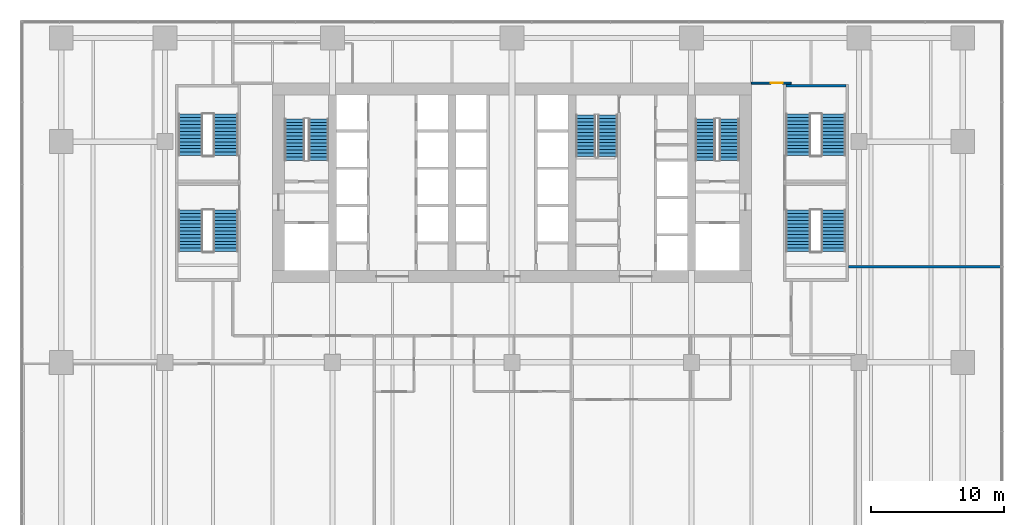
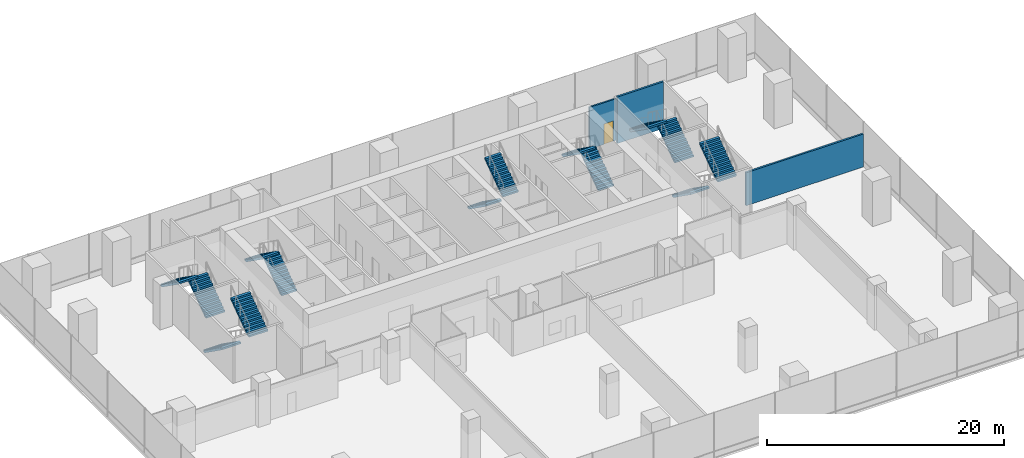
# One storey, part 22 of 28: 14 stair flights, 3 walls, 1 door, 1 opening, 7 elements without a shape of their own.
"""IFC4 building model written with IfcOpenShell, lengths in metres."""

from ifc_helpers import new_model, si_unit, direction, frame, frame_2d, origin, place, context, subcontext, project, spatial, polyline, rectangle, outline, extrude, material, layer, layer_set, type_object, element, fill, aggregate, save


model = new_model("IFC4")

# Units and contexts
model_context = context("Model", 3, precision=1e-05, world=origin(), true_north=direction((0.0, 1.0)))
body_context = subcontext(model_context, "Body", "Model", "MODEL_VIEW")
ifc_project = project(units=[si_unit("LENGTHUNIT", "METRE"), si_unit("AREAUNIT", "SQUARE_METRE"), si_unit("VOLUMEUNIT", "CUBIC_METRE"), si_unit("PLANEANGLEUNIT", "RADIAN"), si_unit("MASSUNIT", "GRAM", prefix="KILO")], contexts=[model_context])

# Site, building, storey
site_placement = place(None, origin())
site = spatial("IfcSite", under=ifc_project, at=site_placement, CompositionType="ELEMENT")
building_placement = place(site_placement, origin())
building = spatial("IfcBuilding", under=site, at=building_placement, Name="Rattan Terrace Tower", CompositionType="ELEMENT")
storey_placement = place(building_placement, frame((0.0, 0.0, 17.39990234375)))
storey = spatial("IfcBuildingStorey", under=building, at=storey_placement, Name="L03", CompositionType="ELEMENT", Elevation=17.39990234375)

# Wall
ifc_material_1 = material(Name="Double steel stud acoustic partition, gypsum board, mineral wool, fire rated", Category="steel")
ifc_layer_1 = layer(ifc_material_1, 0.179931640625)
ifc_layer_set_1 = layer_set([ifc_layer_1], Name="Floors Acoustic Party Wall 180")
wall_type_1 = type_object("IfcWallType", Name="Floors Acoustic Party Wall 180", PredefinedType="PARTITIONING", material=ifc_layer_set_1)
wall_1_placement = place(storey_placement, frame((25.300048828125, -6.31201171875, 0.0), z_axis=(0.0, 0.0, 1.0), x_axis=(1.0, 0.0, 0.0)))
element("IfcWall", 1, at=wall_1_placement, inside=storey, type_object=wall_type_1, Name="pt-L03-042", PredefinedType="PARTITIONING", context=body_context, shape_type="SweptSolid", body=[
    extrude(rectangle(XDim=11.43994140625, YDim=0.179931640625, at=frame_2d((5.719970703125, 0.0))), origin(), (0.0, 0.0, 1.0), 3.400146484375),
])

# Wall, opening, door
ifc_material_2 = material(Name="Gypsum board partition on steel studs, fire rated", Category="steel")
ifc_layer_2 = layer(ifc_material_2, 0.14990234375)
ifc_layer_set_2 = layer_set([ifc_layer_2], Name="Floors Tenancy Wall 150")
wall_type_2 = type_object("IfcWallType", Name="Floors Tenancy Wall 150", PredefinedType="PARTITIONING", material=ifc_layer_set_2)
wall_2_placement = place(storey_placement, frame((18.0, 7.5, 0.0), z_axis=(0.0, 0.0, 1.0), x_axis=(1.0, 0.0, 0.0)))
wall_2 = element("IfcWall", 2, at=wall_2_placement, inside=storey, type_object=wall_type_2, Name="pt-L03-012", PredefinedType="PARTITIONING", context=body_context, shape_type="SweptSolid", body=[
    extrude(rectangle(XDim=3.0, YDim=0.14990234375, at=frame_2d((1.5, 0.0))), origin(), (0.0, 0.0, 1.0), 4.300048828125),
])
opening_placement = place(wall_2_placement, frame((1.449951171875, 0.0, 0.0)))
opening = element("IfcOpeningElement", 3, at=opening_placement, cuts=wall_2, Name="Opening L03-D110", PredefinedType="OPENING", context=body_context, shape_type="SweptSolid", body=[
    extrude(rectangle(XDim=0.89990234375, YDim=2.10009765625, at=frame_2d((0.449951171875, 1.050048828125))), frame((0.0, 0.08544921875, 0.0), z_axis=(0.0, -1.0, 0.0), x_axis=(1.0, 0.0, 0.0)), (0.0, 0.0, 1.0), 0.1708984375),
])
ifc_material_3 = material(Name="Steel fire door set", Category="steel")
door_type = type_object("IfcDoorType", Name="Floors Fire Door FD30S 900x2100", OperationType="NOTDEFINED", PredefinedType="DOOR", material=ifc_material_3)
door_placement = place(opening_placement, origin())
door = element("IfcDoor", 4, at=door_placement, inside=storey, type_object=door_type, Name="d-L03-110", OperationType="SINGLE_SWING_RIGHT", OverallHeight=2.10009765625, OverallWidth=0.89990234375, PredefinedType="DOOR", context=body_context, shape_type="SweptSolid", body=[
    extrude(rectangle(XDim=0.89990234375, YDim=2.10009765625, at=frame_2d((0.449951171875, 1.050048828125))), frame((0.0, 0.02490234375, 0.0), z_axis=(0.0, -1.0, 0.0), x_axis=(1.0, 0.0, 0.0)), (0.0, 0.0, 1.0), 0.050048828125),
])
fill(opening, door)

# Wall
ifc_material_4 = material(Name="Concrete C40/50", Category="concrete")
ifc_layer_3 = layer(ifc_material_4, 0.199951171875)
ifc_layer_set_3 = layer_set([ifc_layer_3], Name="Podium exit stair shaft wall 200")
wall_type_3 = type_object("IfcWallType", Name="Podium exit stair shaft wall 200", PredefinedType="SHEAR", material=ifc_layer_set_3)
wall_3_placement = place(storey_placement, frame((20.60009765625, 7.300048828125, -0.199951171875), z_axis=(0.0, 0.0, 1.0), x_axis=(1.0, 0.0, 0.0)))
element("IfcWall", 5, at=wall_3_placement, inside=storey, type_object=wall_type_3, Name="L03 stair S7 shaft wall", PredefinedType="SHEAR", context=body_context, shape_type="SweptSolid", body=[
    extrude(rectangle(XDim=4.5, YDim=0.199951171875, at=frame_2d((2.25, 0.0))), origin(), (0.0, 0.0, 1.0), 4.800048828125),
])

# Stair, stair flights
ifc_material_5 = material(Name="Concrete C40/50", Category="concrete")
stair_type_1 = type_object("IfcStairType", Name="Core exit stair 1500", PredefinedType="HALF_TURN_STAIR", material=ifc_material_5)
stair_1_placement = place(storey_placement, origin())
stair_1 = element("IfcStair", 6, at=stair_1_placement, inside=storey, type_object=stair_type_1, Name="L03 exit stair 1", PredefinedType="HALF_TURN_STAIR")
ifc_material_6 = material(Name="Concrete C40/50", Category="concrete")
stair_flight_type_1 = type_object("IfcStairFlightType", Name="Core exit stair flight 1500", PredefinedType="STRAIGHT", material=ifc_material_6)
stair_flight_1_placement = place(storey_placement, frame((-14.550048828125, 1.699951171875, 0.0), z_axis=(0.0, 0.0, 1.0), x_axis=(0.0, 1.0, 0.0)))
stair_flight_1 = element("IfcStairFlight", 7, at=stair_flight_1_placement, type_object=stair_flight_type_1, Name="S1 flight 1", NumberOfRisers=13, NumberOfTreads=12, PredefinedType="STRAIGHT", RiserHeight=0.184615385, TreadLength=0.26, context=body_context, shape_type="SweptSolid", body=[
    extrude(outline(polyline([(0.0, 0.0), (0.0, 0.1845703125), (0.260009765625, 0.1845703125), (0.260009765625, 0.369140625), (0.52001953125, 0.369140625), (0.52001953125, 0.553955078125), (0.780029296875, 0.553955078125), (0.780029296875, 0.738525390625), (1.0400390625, 0.738525390625), (1.0400390625, 0.923095703125), (1.300048828125, 0.923095703125), (1.300048828125, 1.107666015625), (1.56005859375, 1.107666015625), (1.56005859375, 1.292236328125), (1.820068359375, 1.292236328125), (1.820068359375, 1.476806640625), (2.080078125, 1.476806640625), (2.080078125, 1.66162109375), (2.340087890625, 1.66162109375), (2.340087890625, 1.84619140625), (2.60009765625, 1.84619140625), (2.60009765625, 2.03076171875), (2.860107421875, 2.03076171875), (2.860107421875, 2.21533203125), (3.1201171875, 2.21533203125), (3.1201171875, 2.39990234375), (3.1201171875, 2.031494140625), (0.259033203125, 0.0), (0.0, 0.0)])), frame((0.0, 0.75, 0.0), z_axis=(0.0, -1.0, 0.0), x_axis=(1.0, 0.0, 0.0)), (0.0, 0.0, 1.0), 1.5),
])
stair_flight_2_placement = place(storey_placement, frame((-16.35009765625, 4.820068359375, 2.400146484375), z_axis=(0.0, 0.0, 1.0), x_axis=(0.0, -1.0, 0.0)))
stair_flight_2 = element("IfcStairFlight", 8, at=stair_flight_2_placement, type_object=stair_flight_type_1, Name="S1 flight 2", NumberOfRisers=13, NumberOfTreads=12, PredefinedType="STRAIGHT", RiserHeight=0.184615385, TreadLength=0.26, context=body_context, shape_type="SweptSolid", body=[
    extrude(outline(polyline([(0.0, 0.0), (0.0, 0.1845703125), (0.260009765625, 0.1845703125), (0.260009765625, 0.369140625), (0.52001953125, 0.369140625), (0.52001953125, 0.553955078125), (0.780029296875, 0.553955078125), (0.780029296875, 0.738525390625), (1.0400390625, 0.738525390625), (1.0400390625, 0.923095703125), (1.300048828125, 0.923095703125), (1.300048828125, 1.107666015625), (1.56005859375, 1.107666015625), (1.56005859375, 1.292236328125), (1.820068359375, 1.292236328125), (1.820068359375, 1.476806640625), (2.080078125, 1.476806640625), (2.080078125, 1.66162109375), (2.340087890625, 1.66162109375), (2.340087890625, 1.84619140625), (2.60009765625, 1.84619140625), (2.60009765625, 2.03076171875), (2.860107421875, 2.03076171875), (2.860107421875, 2.21533203125), (3.1201171875, 2.21533203125), (3.1201171875, 2.39990234375), (3.1201171875, 2.031494140625), (0.259033203125, 0.0), (0.0, 0.0)])), frame((0.0, 0.75, 0.0), z_axis=(0.0, -1.0, 0.0), x_axis=(1.0, 0.0, 0.0)), (0.0, 0.0, 1.0), 1.5),
])
aggregate(stair_1, [stair_flight_1, stair_flight_2])

stair_2_placement = place(storey_placement, origin())
stair_2 = element("IfcStair", 9, at=stair_2_placement, inside=storey, type_object=stair_type_1, Name="L03 exit stair 2", PredefinedType="HALF_TURN_STAIR")
stair_flight_3_placement = place(storey_placement, frame((16.35009765625, 1.699951171875, 0.0), z_axis=(0.0, 0.0, 1.0), x_axis=(0.0, 1.0, 0.0)))
stair_flight_3 = element("IfcStairFlight", 10, at=stair_flight_3_placement, type_object=stair_flight_type_1, Name="S2 flight 1", NumberOfRisers=13, NumberOfTreads=12, PredefinedType="STRAIGHT", RiserHeight=0.184615385, TreadLength=0.26, context=body_context, shape_type="SweptSolid", body=[
    extrude(outline(polyline([(0.0, 0.0), (0.0, 0.1845703125), (0.260009765625, 0.1845703125), (0.260009765625, 0.369140625), (0.52001953125, 0.369140625), (0.52001953125, 0.553955078125), (0.780029296875, 0.553955078125), (0.780029296875, 0.738525390625), (1.0400390625, 0.738525390625), (1.0400390625, 0.923095703125), (1.300048828125, 0.923095703125), (1.300048828125, 1.107666015625), (1.56005859375, 1.107666015625), (1.56005859375, 1.292236328125), (1.820068359375, 1.292236328125), (1.820068359375, 1.476806640625), (2.080078125, 1.476806640625), (2.080078125, 1.66162109375), (2.340087890625, 1.66162109375), (2.340087890625, 1.84619140625), (2.60009765625, 1.84619140625), (2.60009765625, 2.03076171875), (2.860107421875, 2.03076171875), (2.860107421875, 2.21533203125), (3.1201171875, 2.21533203125), (3.1201171875, 2.39990234375), (3.1201171875, 2.031494140625), (0.259033203125, 0.0), (0.0, 0.0)])), frame((0.0, 0.75, 0.0), z_axis=(0.0, -1.0, 0.0), x_axis=(1.0, 0.0, 0.0)), (0.0, 0.0, 1.0), 1.5),
])
stair_flight_4_placement = place(storey_placement, frame((14.550048828125, 4.820068359375, 2.400146484375), z_axis=(0.0, 0.0, 1.0), x_axis=(0.0, -1.0, 0.0)))
stair_flight_4 = element("IfcStairFlight", 11, at=stair_flight_4_placement, type_object=stair_flight_type_1, Name="S2 flight 2", NumberOfRisers=13, NumberOfTreads=12, PredefinedType="STRAIGHT", RiserHeight=0.184615385, TreadLength=0.26, context=body_context, shape_type="SweptSolid", body=[
    extrude(outline(polyline([(0.0, 0.0), (0.0, 0.1845703125), (0.260009765625, 0.1845703125), (0.260009765625, 0.369140625), (0.52001953125, 0.369140625), (0.52001953125, 0.553955078125), (0.780029296875, 0.553955078125), (0.780029296875, 0.738525390625), (1.0400390625, 0.738525390625), (1.0400390625, 0.923095703125), (1.300048828125, 0.923095703125), (1.300048828125, 1.107666015625), (1.56005859375, 1.107666015625), (1.56005859375, 1.292236328125), (1.820068359375, 1.292236328125), (1.820068359375, 1.476806640625), (2.080078125, 1.476806640625), (2.080078125, 1.66162109375), (2.340087890625, 1.66162109375), (2.340087890625, 1.84619140625), (2.60009765625, 1.84619140625), (2.60009765625, 2.03076171875), (2.860107421875, 2.03076171875), (2.860107421875, 2.21533203125), (3.1201171875, 2.21533203125), (3.1201171875, 2.39990234375), (3.1201171875, 2.031494140625), (0.259033203125, 0.0), (0.0, 0.0)])), frame((0.0, 0.75, 0.0), z_axis=(0.0, -1.0, 0.0), x_axis=(1.0, 0.0, 0.0)), (0.0, 0.0, 1.0), 1.5),
])
aggregate(stair_2, [stair_flight_3, stair_flight_4])

stair_3_placement = place(storey_placement, origin())
stair_3 = element("IfcStair", 12, at=stair_3_placement, inside=storey, type_object=stair_type_1, Name="L03 exit stair 3", PredefinedType="HALF_TURN_STAIR")
stair_flight_5_placement = place(storey_placement, frame((5.550048828125, 5.10009765625, 0.0), z_axis=(0.0, 0.0, 1.0), x_axis=(0.0, -1.0, 0.0)))
stair_flight_5 = element("IfcStairFlight", 13, at=stair_flight_5_placement, type_object=stair_flight_type_1, Name="S3 flight 1", NumberOfRisers=13, NumberOfTreads=12, PredefinedType="STRAIGHT", RiserHeight=0.184615385, TreadLength=0.26, context=body_context, shape_type="SweptSolid", body=[
    extrude(outline(polyline([(0.0, 0.0), (0.0, 0.1845703125), (0.260009765625, 0.1845703125), (0.260009765625, 0.369140625), (0.52001953125, 0.369140625), (0.52001953125, 0.553955078125), (0.780029296875, 0.553955078125), (0.780029296875, 0.738525390625), (1.0400390625, 0.738525390625), (1.0400390625, 0.923095703125), (1.300048828125, 0.923095703125), (1.300048828125, 1.107666015625), (1.56005859375, 1.107666015625), (1.56005859375, 1.292236328125), (1.820068359375, 1.292236328125), (1.820068359375, 1.476806640625), (2.080078125, 1.476806640625), (2.080078125, 1.66162109375), (2.340087890625, 1.66162109375), (2.340087890625, 1.84619140625), (2.60009765625, 1.84619140625), (2.60009765625, 2.03076171875), (2.860107421875, 2.03076171875), (2.860107421875, 2.21533203125), (3.1201171875, 2.21533203125), (3.1201171875, 2.39990234375), (3.1201171875, 2.031494140625), (0.259033203125, 0.0), (0.0, 0.0)])), frame((0.0, 0.75, 0.0), z_axis=(0.0, -1.0, 0.0), x_axis=(1.0, 0.0, 0.0)), (0.0, 0.0, 1.0), 1.5),
])
stair_flight_6_placement = place(storey_placement, frame((7.199951171875, 1.97998046875, 2.400146484375), z_axis=(0.0, 0.0, 1.0), x_axis=(0.0, 1.0, 0.0)))
stair_flight_6 = element("IfcStairFlight", 14, at=stair_flight_6_placement, type_object=stair_flight_type_1, Name="S3 flight 2", NumberOfRisers=13, NumberOfTreads=12, PredefinedType="STRAIGHT", RiserHeight=0.184615385, TreadLength=0.26, context=body_context, shape_type="SweptSolid", body=[
    extrude(outline(polyline([(0.0, 0.0), (0.0, 0.1845703125), (0.260009765625, 0.1845703125), (0.260009765625, 0.369140625), (0.52001953125, 0.369140625), (0.52001953125, 0.553955078125), (0.780029296875, 0.553955078125), (0.780029296875, 0.738525390625), (1.0400390625, 0.738525390625), (1.0400390625, 0.923095703125), (1.300048828125, 0.923095703125), (1.300048828125, 1.107666015625), (1.56005859375, 1.107666015625), (1.56005859375, 1.292236328125), (1.820068359375, 1.292236328125), (1.820068359375, 1.476806640625), (2.080078125, 1.476806640625), (2.080078125, 1.66162109375), (2.340087890625, 1.66162109375), (2.340087890625, 1.84619140625), (2.60009765625, 1.84619140625), (2.60009765625, 2.03076171875), (2.860107421875, 2.03076171875), (2.860107421875, 2.21533203125), (3.1201171875, 2.21533203125), (3.1201171875, 2.39990234375), (3.1201171875, 2.031494140625), (0.259033203125, 0.0), (0.0, 0.0)])), frame((0.0, 0.75, 0.0), z_axis=(0.0, -1.0, 0.0), x_axis=(1.0, 0.0, 0.0)), (0.0, 0.0, 1.0), 1.5),
])
aggregate(stair_3, [stair_flight_5, stair_flight_6])

ifc_material_7 = material(Name="Concrete C40/50", Category="concrete")
stair_type_2 = type_object("IfcStairType", Name="Core exit stair 1850", PredefinedType="HALF_TURN_STAIR", material=ifc_material_7)
stair_4_placement = place(storey_placement, origin())
stair_4 = element("IfcStair", 15, at=stair_4_placement, inside=storey, type_object=stair_type_2, Name="L03 exit stair 4", PredefinedType="HALF_TURN_STAIR")
ifc_material_8 = material(Name="Concrete C40/50", Category="concrete")
stair_flight_type_2 = type_object("IfcStairFlightType", Name="Core exit stair flight 1850", PredefinedType="STRAIGHT", material=ifc_material_8)
stair_flight_7_placement = place(storey_placement, frame((-24.175048828125, -2.050048828125, 0.0), z_axis=(0.0, 0.0, 1.0), x_axis=(0.0, -1.0, 0.0)))
stair_flight_7 = element("IfcStairFlight", 16, at=stair_flight_7_placement, type_object=stair_flight_type_2, Name="S4 flight 1", NumberOfRisers=13, NumberOfTreads=12, PredefinedType="STRAIGHT", RiserHeight=0.184615385, TreadLength=0.26, context=body_context, shape_type="SweptSolid", body=[
    extrude(outline(polyline([(0.0, 0.0), (0.0, 0.1845703125), (0.260009765625, 0.1845703125), (0.260009765625, 0.369140625), (0.52001953125, 0.369140625), (0.52001953125, 0.553955078125), (0.780029296875, 0.553955078125), (0.780029296875, 0.738525390625), (1.0400390625, 0.738525390625), (1.0400390625, 0.923095703125), (1.300048828125, 0.923095703125), (1.300048828125, 1.107666015625), (1.56005859375, 1.107666015625), (1.56005859375, 1.292236328125), (1.820068359375, 1.292236328125), (1.820068359375, 1.476806640625), (2.080078125, 1.476806640625), (2.080078125, 1.66162109375), (2.340087890625, 1.66162109375), (2.340087890625, 1.84619140625), (2.60009765625, 1.84619140625), (2.60009765625, 2.03076171875), (2.860107421875, 2.03076171875), (2.860107421875, 2.21533203125), (3.1201171875, 2.21533203125), (3.1201171875, 2.39990234375), (3.1201171875, 2.031494140625), (0.259033203125, 0.0), (0.0, 0.0)])), frame((0.0, 0.925048828125, 0.0), z_axis=(0.0, -1.0, 0.0), x_axis=(1.0, 0.0, 0.0)), (0.0, 0.0, 1.0), 1.85009765625),
])
stair_flight_8_placement = place(storey_placement, frame((-21.52490234375, -5.169921875, 2.400146484375), z_axis=(0.0, 0.0, 1.0), x_axis=(0.0, 1.0, 0.0)))
stair_flight_8 = element("IfcStairFlight", 17, at=stair_flight_8_placement, type_object=stair_flight_type_2, Name="S4 flight 2", NumberOfRisers=13, NumberOfTreads=12, PredefinedType="STRAIGHT", RiserHeight=0.184615385, TreadLength=0.26, context=body_context, shape_type="SweptSolid", body=[
    extrude(outline(polyline([(0.0, 0.0), (0.0, 0.1845703125), (0.260009765625, 0.1845703125), (0.260009765625, 0.369140625), (0.52001953125, 0.369140625), (0.52001953125, 0.553955078125), (0.780029296875, 0.553955078125), (0.780029296875, 0.738525390625), (1.0400390625, 0.738525390625), (1.0400390625, 0.923095703125), (1.300048828125, 0.923095703125), (1.300048828125, 1.107666015625), (1.56005859375, 1.107666015625), (1.56005859375, 1.292236328125), (1.820068359375, 1.292236328125), (1.820068359375, 1.476806640625), (2.080078125, 1.476806640625), (2.080078125, 1.66162109375), (2.340087890625, 1.66162109375), (2.340087890625, 1.84619140625), (2.60009765625, 1.84619140625), (2.60009765625, 2.03076171875), (2.860107421875, 2.03076171875), (2.860107421875, 2.21533203125), (3.1201171875, 2.21533203125), (3.1201171875, 2.39990234375), (3.1201171875, 2.031494140625), (0.259033203125, 0.0), (0.0, 0.0)])), frame((0.0, 0.925048828125, 0.0), z_axis=(0.0, -1.0, 0.0), x_axis=(1.0, 0.0, 0.0)), (0.0, 0.0, 1.0), 1.85009765625),
])
aggregate(stair_4, [stair_flight_7, stair_flight_8])

stair_5_placement = place(storey_placement, origin())
stair_5 = element("IfcStair", 18, at=stair_5_placement, inside=storey, type_object=stair_type_2, Name="L03 exit stair 5", PredefinedType="HALF_TURN_STAIR")
stair_flight_9_placement = place(storey_placement, frame((-21.52490234375, 2.050048828125, 0.0), z_axis=(0.0, 0.0, 1.0), x_axis=(0.0, 1.0, 0.0)))
stair_flight_9 = element("IfcStairFlight", 19, at=stair_flight_9_placement, type_object=stair_flight_type_2, Name="S5 flight 1", NumberOfRisers=13, NumberOfTreads=12, PredefinedType="STRAIGHT", RiserHeight=0.184615385, TreadLength=0.26, context=body_context, shape_type="SweptSolid", body=[
    extrude(outline(polyline([(0.0, 0.0), (0.0, 0.1845703125), (0.260009765625, 0.1845703125), (0.260009765625, 0.369140625), (0.52001953125, 0.369140625), (0.52001953125, 0.553955078125), (0.780029296875, 0.553955078125), (0.780029296875, 0.738525390625), (1.0400390625, 0.738525390625), (1.0400390625, 0.923095703125), (1.300048828125, 0.923095703125), (1.300048828125, 1.107666015625), (1.56005859375, 1.107666015625), (1.56005859375, 1.292236328125), (1.820068359375, 1.292236328125), (1.820068359375, 1.476806640625), (2.080078125, 1.476806640625), (2.080078125, 1.66162109375), (2.340087890625, 1.66162109375), (2.340087890625, 1.84619140625), (2.60009765625, 1.84619140625), (2.60009765625, 2.03076171875), (2.860107421875, 2.03076171875), (2.860107421875, 2.21533203125), (3.1201171875, 2.21533203125), (3.1201171875, 2.39990234375), (3.1201171875, 2.031494140625), (0.259033203125, 0.0), (0.0, 0.0)])), frame((0.0, 0.925048828125, 0.0), z_axis=(0.0, -1.0, 0.0), x_axis=(1.0, 0.0, 0.0)), (0.0, 0.0, 1.0), 1.85009765625),
])
stair_flight_10_placement = place(storey_placement, frame((-24.175048828125, 5.169921875, 2.400146484375), z_axis=(0.0, 0.0, 1.0), x_axis=(0.0, -1.0, 0.0)))
stair_flight_10 = element("IfcStairFlight", 20, at=stair_flight_10_placement, type_object=stair_flight_type_2, Name="S5 flight 2", NumberOfRisers=13, NumberOfTreads=12, PredefinedType="STRAIGHT", RiserHeight=0.184615385, TreadLength=0.26, context=body_context, shape_type="SweptSolid", body=[
    extrude(outline(polyline([(0.0, 0.0), (0.0, 0.1845703125), (0.260009765625, 0.1845703125), (0.260009765625, 0.369140625), (0.52001953125, 0.369140625), (0.52001953125, 0.553955078125), (0.780029296875, 0.553955078125), (0.780029296875, 0.738525390625), (1.0400390625, 0.738525390625), (1.0400390625, 0.923095703125), (1.300048828125, 0.923095703125), (1.300048828125, 1.107666015625), (1.56005859375, 1.107666015625), (1.56005859375, 1.292236328125), (1.820068359375, 1.292236328125), (1.820068359375, 1.476806640625), (2.080078125, 1.476806640625), (2.080078125, 1.66162109375), (2.340087890625, 1.66162109375), (2.340087890625, 1.84619140625), (2.60009765625, 1.84619140625), (2.60009765625, 2.03076171875), (2.860107421875, 2.03076171875), (2.860107421875, 2.21533203125), (3.1201171875, 2.21533203125), (3.1201171875, 2.39990234375), (3.1201171875, 2.031494140625), (0.259033203125, 0.0), (0.0, 0.0)])), frame((0.0, 0.925048828125, 0.0), z_axis=(0.0, -1.0, 0.0), x_axis=(1.0, 0.0, 0.0)), (0.0, 0.0, 1.0), 1.85009765625),
])
aggregate(stair_5, [stair_flight_9, stair_flight_10])

stair_6_placement = place(storey_placement, origin())
stair_6 = element("IfcStair", 21, at=stair_6_placement, inside=storey, type_object=stair_type_2, Name="L03 exit stair 6", PredefinedType="HALF_TURN_STAIR")
stair_flight_11_placement = place(storey_placement, frame((21.52490234375, -2.050048828125, 0.0), z_axis=(0.0, 0.0, 1.0), x_axis=(0.0, -1.0, 0.0)))
stair_flight_11 = element("IfcStairFlight", 22, at=stair_flight_11_placement, type_object=stair_flight_type_2, Name="S6 flight 1", NumberOfRisers=13, NumberOfTreads=12, PredefinedType="STRAIGHT", RiserHeight=0.184615385, TreadLength=0.26, context=body_context, shape_type="SweptSolid", body=[
    extrude(outline(polyline([(0.0, 0.0), (0.0, 0.1845703125), (0.260009765625, 0.1845703125), (0.260009765625, 0.369140625), (0.52001953125, 0.369140625), (0.52001953125, 0.553955078125), (0.780029296875, 0.553955078125), (0.780029296875, 0.738525390625), (1.0400390625, 0.738525390625), (1.0400390625, 0.923095703125), (1.300048828125, 0.923095703125), (1.300048828125, 1.107666015625), (1.56005859375, 1.107666015625), (1.56005859375, 1.292236328125), (1.820068359375, 1.292236328125), (1.820068359375, 1.476806640625), (2.080078125, 1.476806640625), (2.080078125, 1.66162109375), (2.340087890625, 1.66162109375), (2.340087890625, 1.84619140625), (2.60009765625, 1.84619140625), (2.60009765625, 2.03076171875), (2.860107421875, 2.03076171875), (2.860107421875, 2.21533203125), (3.1201171875, 2.21533203125), (3.1201171875, 2.39990234375), (3.1201171875, 2.031494140625), (0.259033203125, 0.0), (0.0, 0.0)])), frame((0.0, 0.925048828125, 0.0), z_axis=(0.0, -1.0, 0.0), x_axis=(1.0, 0.0, 0.0)), (0.0, 0.0, 1.0), 1.85009765625),
])
stair_flight_12_placement = place(storey_placement, frame((24.175048828125, -5.169921875, 2.400146484375), z_axis=(0.0, 0.0, 1.0), x_axis=(0.0, 1.0, 0.0)))
stair_flight_12 = element("IfcStairFlight", 23, at=stair_flight_12_placement, type_object=stair_flight_type_2, Name="S6 flight 2", NumberOfRisers=13, NumberOfTreads=12, PredefinedType="STRAIGHT", RiserHeight=0.184615385, TreadLength=0.26, context=body_context, shape_type="SweptSolid", body=[
    extrude(outline(polyline([(0.0, 0.0), (0.0, 0.1845703125), (0.260009765625, 0.1845703125), (0.260009765625, 0.369140625), (0.52001953125, 0.369140625), (0.52001953125, 0.553955078125), (0.780029296875, 0.553955078125), (0.780029296875, 0.738525390625), (1.0400390625, 0.738525390625), (1.0400390625, 0.923095703125), (1.300048828125, 0.923095703125), (1.300048828125, 1.107666015625), (1.56005859375, 1.107666015625), (1.56005859375, 1.292236328125), (1.820068359375, 1.292236328125), (1.820068359375, 1.476806640625), (2.080078125, 1.476806640625), (2.080078125, 1.66162109375), (2.340087890625, 1.66162109375), (2.340087890625, 1.84619140625), (2.60009765625, 1.84619140625), (2.60009765625, 2.03076171875), (2.860107421875, 2.03076171875), (2.860107421875, 2.21533203125), (3.1201171875, 2.21533203125), (3.1201171875, 2.39990234375), (3.1201171875, 2.031494140625), (0.259033203125, 0.0), (0.0, 0.0)])), frame((0.0, 0.925048828125, 0.0), z_axis=(0.0, -1.0, 0.0), x_axis=(1.0, 0.0, 0.0)), (0.0, 0.0, 1.0), 1.85009765625),
])
aggregate(stair_6, [stair_flight_11, stair_flight_12])

stair_7_placement = place(storey_placement, origin())
stair_7 = element("IfcStair", 24, at=stair_7_placement, inside=storey, type_object=stair_type_2, Name="L03 exit stair 7", PredefinedType="HALF_TURN_STAIR")
stair_flight_13_placement = place(storey_placement, frame((24.175048828125, 2.050048828125, 0.0), z_axis=(0.0, 0.0, 1.0), x_axis=(0.0, 1.0, 0.0)))
stair_flight_13 = element("IfcStairFlight", 25, at=stair_flight_13_placement, type_object=stair_flight_type_2, Name="S7 flight 1", NumberOfRisers=13, NumberOfTreads=12, PredefinedType="STRAIGHT", RiserHeight=0.184615385, TreadLength=0.26, context=body_context, shape_type="SweptSolid", body=[
    extrude(outline(polyline([(0.0, 0.0), (0.0, 0.1845703125), (0.260009765625, 0.1845703125), (0.260009765625, 0.369140625), (0.52001953125, 0.369140625), (0.52001953125, 0.553955078125), (0.780029296875, 0.553955078125), (0.780029296875, 0.738525390625), (1.0400390625, 0.738525390625), (1.0400390625, 0.923095703125), (1.300048828125, 0.923095703125), (1.300048828125, 1.107666015625), (1.56005859375, 1.107666015625), (1.56005859375, 1.292236328125), (1.820068359375, 1.292236328125), (1.820068359375, 1.476806640625), (2.080078125, 1.476806640625), (2.080078125, 1.66162109375), (2.340087890625, 1.66162109375), (2.340087890625, 1.84619140625), (2.60009765625, 1.84619140625), (2.60009765625, 2.03076171875), (2.860107421875, 2.03076171875), (2.860107421875, 2.21533203125), (3.1201171875, 2.21533203125), (3.1201171875, 2.39990234375), (3.1201171875, 2.031494140625), (0.259033203125, 0.0), (0.0, 0.0)])), frame((0.0, 0.925048828125, 0.0), z_axis=(0.0, -1.0, 0.0), x_axis=(1.0, 0.0, 0.0)), (0.0, 0.0, 1.0), 1.85009765625),
])
stair_flight_14_placement = place(storey_placement, frame((21.52490234375, 5.169921875, 2.400146484375), z_axis=(0.0, 0.0, 1.0), x_axis=(0.0, -1.0, 0.0)))
stair_flight_14 = element("IfcStairFlight", 26, at=stair_flight_14_placement, type_object=stair_flight_type_2, Name="S7 flight 2", NumberOfRisers=13, NumberOfTreads=12, PredefinedType="STRAIGHT", RiserHeight=0.184615385, TreadLength=0.26, context=body_context, shape_type="SweptSolid", body=[
    extrude(outline(polyline([(0.0, 0.0), (0.0, 0.1845703125), (0.260009765625, 0.1845703125), (0.260009765625, 0.369140625), (0.52001953125, 0.369140625), (0.52001953125, 0.553955078125), (0.780029296875, 0.553955078125), (0.780029296875, 0.738525390625), (1.0400390625, 0.738525390625), (1.0400390625, 0.923095703125), (1.300048828125, 0.923095703125), (1.300048828125, 1.107666015625), (1.56005859375, 1.107666015625), (1.56005859375, 1.292236328125), (1.820068359375, 1.292236328125), (1.820068359375, 1.476806640625), (2.080078125, 1.476806640625), (2.080078125, 1.66162109375), (2.340087890625, 1.66162109375), (2.340087890625, 1.84619140625), (2.60009765625, 1.84619140625), (2.60009765625, 2.03076171875), (2.860107421875, 2.03076171875), (2.860107421875, 2.21533203125), (3.1201171875, 2.21533203125), (3.1201171875, 2.39990234375), (3.1201171875, 2.031494140625), (0.259033203125, 0.0), (0.0, 0.0)])), frame((0.0, 0.925048828125, 0.0), z_axis=(0.0, -1.0, 0.0), x_axis=(1.0, 0.0, 0.0)), (0.0, 0.0, 1.0), 1.85009765625),
])
aggregate(stair_7, [stair_flight_13, stair_flight_14])

save(model, "model.ifc")
